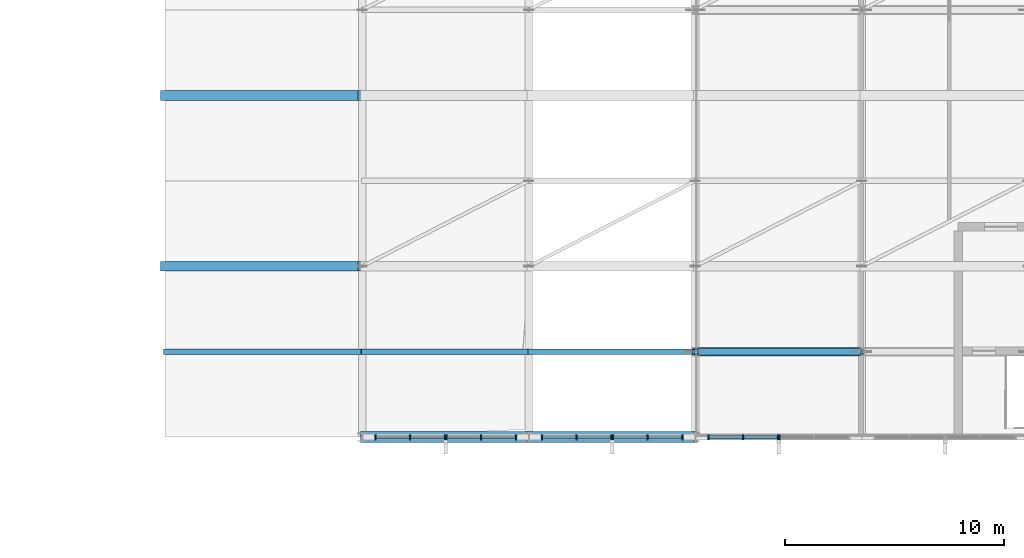
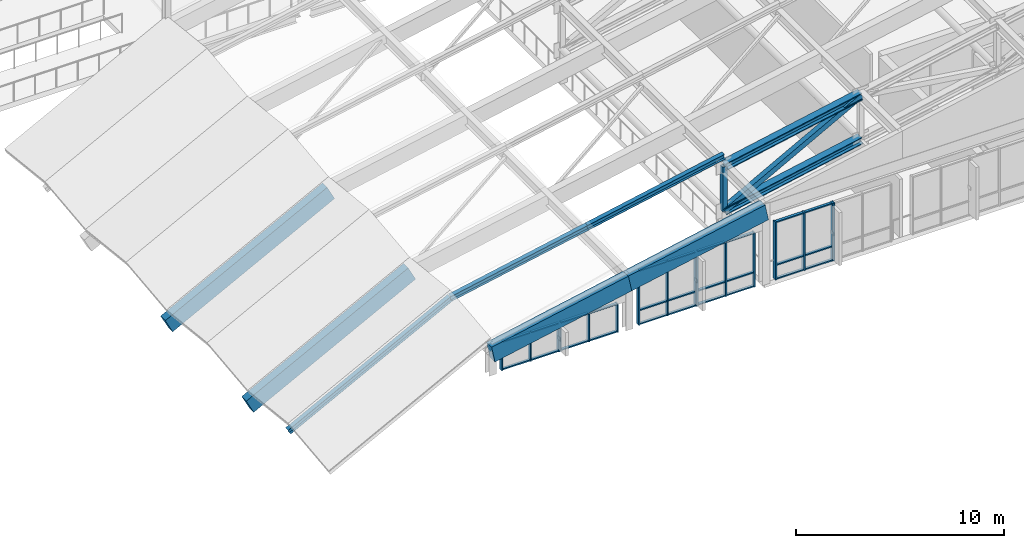
# One storey, part 15 of 73: 49 members, 4 beams, 6 elements without a shape of their own.
"""IFC4 building model written with IfcOpenShell, lengths in metres."""

from ifc_helpers import new_model, si_unit, direction, frame, origin, origin_2d, place, context, subcontext, project, spatial, rectangle, hollow_rectangle, i_section, extrude, material, material_profile, profile_set, type_object, element, aggregate, save


model = new_model("IFC4")

# Units and contexts
model_context = context("Model", 3, precision=1e-05, world=origin(), true_north=direction((0.0, 1.0)))
body_context = subcontext(model_context, "Body", "Model", "MODEL_VIEW")
ifc_project = project(units=[si_unit("LENGTHUNIT", "METRE"), si_unit("AREAUNIT", "SQUARE_METRE"), si_unit("VOLUMEUNIT", "CUBIC_METRE"), si_unit("PLANEANGLEUNIT", "RADIAN"), si_unit("MASSUNIT", "GRAM", prefix="KILO")], contexts=[model_context])

# Site, building, storey
site_placement = place(None, origin())
site = spatial("IfcSite", under=ifc_project, at=site_placement, CompositionType="ELEMENT")
building_placement = place(site_placement, origin())
building = spatial("IfcBuilding", under=site, at=building_placement, Name="Vervanel Yard Central Library", CompositionType="ELEMENT")
storey_placement = place(building_placement, frame((0.0, 0.0, 12.780029296875)))
storey = spatial("IfcBuildingStorey", under=building, at=storey_placement, Name="L03", CompositionType="ELEMENT", Elevation=12.780029296875)

# Beams
ifc_material_1 = material(Name="Concrete C45/55", Category="concrete")
ifc_material_profile_1 = material_profile(ifc_material_1, rectangle(XDim=0.5, YDim=0.949951171875, at=origin_2d()), Name="RC 500x950", Category="concrete")
ifc_profile_set_1 = profile_set([ifc_material_profile_1], Name="Concrete C45/55")
beam_type_1 = type_object("IfcBeamType", Name="Folded Shell Concrete Edge Rib 500x950", PredefinedType="BEAM", material=ifc_profile_set_1)
beam_1_placement = place(storey_placement, frame((108.0, 43.199951171875, 1.239990234375), z_axis=(0.980653304953, 0.0, 0.195752638515), x_axis=(0.0, 1.0, 0.0)))
element("IfcBeam", 1, at=beam_1_placement, inside=storey, type_object=beam_type_1, Name="Folded Shell Edge Rib Bay 3 Y=43.2", PredefinedType="BEAM", context=body_context, shape_type="SweptSolid", body=[
    extrude(rectangle(XDim=0.5, YDim=0.949951171875, at=origin_2d()), origin(), (0.0, 0.0, 1.0), 7.75),
])
beam_2_placement = place(storey_placement, frame((115.60009765625, 43.199951171875, 2.757080078125), z_axis=(0.980652097773, 0.0, 0.19575868597), x_axis=(0.0, 1.0, 0.0)))
element("IfcBeam", 2, at=beam_2_placement, inside=storey, type_object=beam_type_1, Name="Folded Shell Edge Rib Bay 4 Y=43.2", PredefinedType="BEAM", context=body_context, shape_type="SweptSolid", body=[
    extrude(rectangle(XDim=0.5, YDim=0.949951171875, at=origin_2d()), origin(), (0.0, 0.0, 1.0), 7.749755859375),
])
ifc_material_profile_2 = material_profile(ifc_material_1, rectangle(XDim=0.449951171875, YDim=0.89990234375, at=origin_2d()), Name="RC 450x900", Category="concrete")
ifc_profile_set_2 = profile_set([ifc_material_profile_2], Name="Concrete C45/55")
beam_type_2 = type_object("IfcBeamType", Name="Folded Shell Concrete Valley Rib 450x900", PredefinedType="BEAM", material=ifc_profile_set_2)
for number, where, z_axis, x_axis, name in (
    (3, (99.0, 51.0, -3.4150390625), (0.887416545796, 0.0, 0.460968409165), (0.0, 1.0, 0.0), "Folded Shell Valley Rib Bay 2 Y=51.0"),
    (4, (99.0, 58.800048828125, -3.4150390625), (0.887416545796, 0.0, 0.460968409165), (0.0, 1.0, 0.0), "Folded Shell Valley Rib Bay 2 Y=58.8"),
):
    element("IfcBeam", number, at=place(storey_placement, frame(where, z_axis=z_axis, x_axis=x_axis)), inside=storey, type_object=beam_type_2, Name=name, PredefinedType="BEAM", context=body_context, shape_type="SweptSolid", body=[
        extrude(rectangle(XDim=0.449951171875, YDim=0.89990234375, at=origin_2d()), origin(), (0.0, 0.0, 1.0), 10.141845703125),
    ])

# Members
ifc_material_2 = material(Name="Steel ASTM A992 Grade 50", Category="steel")
ifc_material_profile_3 = material_profile(ifc_material_2, i_section(OverallWidth=0.4013671875, OverallDepth=0.398681640625, WebThickness=0.02490234375, FlangeThickness=0.03955078125, at=origin_2d()), Name="W14X211", Category="steel")
ifc_profile_set_3 = profile_set([ifc_material_profile_3], Name="Steel ASTM A992 Grade 50")
member_type_1 = type_object("IfcMemberType", Name="Prow Cantilever Truss Bottom Chord W14X211", PredefinedType="CHORD", material=ifc_profile_set_3)
member_1_placement = place(storey_placement, frame((123.199951171875, 47.10009765625, 1.9140625), z_axis=(0.980653304953, 0.0, 0.195752638515), x_axis=(0.0, 1.0, 0.0)))
element("IfcMember", 5, at=member_1_placement, inside=storey, type_object=member_type_1, Name="Prow Cantilever Truss S Bottom Chord Panel 1", PredefinedType="CHORD", context=body_context, shape_type="SweptSolid", body=[
    extrude(i_section(OverallWidth=0.4013671875, OverallDepth=0.398681640625, WebThickness=0.02490234375, FlangeThickness=0.03955078125, at=origin_2d()), origin(), (0.0, 0.0, 1.0), 7.75),
])
ifc_material_profile_4 = material_profile(ifc_material_2, i_section(OverallWidth=0.406494140625, OverallDepth=0.41650390625, WebThickness=0.030029296875, FlangeThickness=0.048095703125, at=origin_2d()), Name="W14X257", Category="steel")
ifc_profile_set_4 = profile_set([ifc_material_profile_4], Name="Steel ASTM A992 Grade 50")
member_type_2 = type_object("IfcMemberType", Name="Prow Cantilever Truss Top Chord W14X257", PredefinedType="CHORD", material=ifc_profile_set_4)
member_2_placement = place(storey_placement, frame((123.199951171875, 47.10009765625, 4.51416015625), z_axis=(0.980653304953, 0.0, 0.195752638515), x_axis=(0.0, 1.0, 0.0)))
element("IfcMember", 6, at=member_2_placement, inside=storey, type_object=member_type_2, Name="Prow Cantilever Truss S Top Chord Panel 1", PredefinedType="CHORD", context=body_context, shape_type="SweptSolid", body=[
    extrude(i_section(OverallWidth=0.406494140625, OverallDepth=0.41650390625, WebThickness=0.030029296875, FlangeThickness=0.048095703125, at=origin_2d()), origin(), (0.0, 0.0, 1.0), 7.75),
])
ifc_material_3 = material(Name="Steel ASTM A500 Grade C", Category="steel")
ifc_material_profile_5 = material_profile(ifc_material_3, hollow_rectangle(XDim=0.3046875, YDim=0.3046875, WallThickness=0.0146484375, at=origin_2d()), Name="HSS12X12X5/8", Category="steel")
ifc_profile_set_5 = profile_set([ifc_material_profile_5], Name="Steel ASTM A500 Grade C")
member_type_3 = type_object("IfcMemberType", Name="Prow Truss Web Diagonal HSS12X12X5/8", PredefinedType="BRACE", material=ifc_profile_set_5)
member_3_placement = place(storey_placement, frame((123.199951171875, 47.10009765625, 1.9140625), z_axis=(0.879269293652, 0.0, 0.476325003795), x_axis=(0.0, 1.0, 0.0)))
element("IfcMember", 7, at=member_3_placement, inside=storey, type_object=member_type_3, Name="Prow Cantilever Truss S Web Diagonal 1", PredefinedType="BRACE", context=body_context, shape_type="SweptSolid", body=[
    extrude(hollow_rectangle(XDim=0.3046875, YDim=0.3046875, WallThickness=0.0146484375, at=origin_2d()), origin(), (0.0, 0.0, 1.0), 8.6435546875),
])
ifc_material_profile_6 = material_profile(ifc_material_3, hollow_rectangle(XDim=0.25390625, YDim=0.25390625, WallThickness=0.01171875, at=origin_2d()), Name="HSS10X10X1/2", Category="steel")
ifc_profile_set_6 = profile_set([ifc_material_profile_6], Name="Steel ASTM A500 Grade C")
member_type_4 = type_object("IfcMemberType", Name="Prow Truss Web Vertical HSS10X10X1/2", PredefinedType="BRACE", material=ifc_profile_set_6)
member_4_placement = place(storey_placement, frame((123.199951171875, 47.10009765625, 1.9140625), z_axis=(0.0, 0.0, 1.0), x_axis=(1.0, 0.0, 0.0)))
element("IfcMember", 8, at=member_4_placement, inside=storey, type_object=member_type_4, Name="Prow Cantilever Truss S Vertical 1", PredefinedType="BRACE", context=body_context, shape_type="SweptSolid", body=[
    extrude(hollow_rectangle(XDim=0.25390625, YDim=0.25390625, WallThickness=0.01171875, at=origin_2d()), origin(), (0.0, 0.0, 1.0), 2.60009765625),
])

# Curtain wall, members
ifc_material_4 = material(Name="Thermally broken anodized aluminium 6063-T6", Category="aluminium")
curtain_wall_type = type_object("IfcCurtainWallType", Name="Prow Cantilever Glazed Curtain Wall", PredefinedType="NOTDEFINED", material=ifc_material_4)
curtain_wall_1_placement = place(storey_placement, origin())
curtain_wall_1 = element("IfcCurtainWall", 9, at=curtain_wall_1_placement, inside=storey, type_object=curtain_wall_type, Name="L03 Prow Cantilever Glazed Curtain Wall CWR-L03-076", PredefinedType="NOTDEFINED")
ifc_material_profile_7 = material_profile(ifc_material_4, rectangle(XDim=0.070068359375, YDim=0.219970703125, at=origin_2d()), Name="ALU 70x220", Category="aluminium")
ifc_profile_set_7 = profile_set([ifc_material_profile_7], Name="Thermally broken anodized aluminium 6063-T6")
member_type_5 = type_object("IfcMemberType", Name="Reading Hall Deep Mullion 70x220", PredefinedType="MULLION", material=ifc_profile_set_7)
member_5_placement = place(storey_placement, frame((108.594970703125, 43.199951171875, 0.0), z_axis=(0.0, 0.0, 1.0), x_axis=(1.0, 0.0, 0.0)))
member_5 = element("IfcMember", 10, at=member_5_placement, type_object=member_type_5, Name="CWR-L03-076 Mullion 1", PredefinedType="MULLION", context=body_context, shape_type="SweptSolid", body=[
    extrude(rectangle(XDim=0.070068359375, YDim=0.219970703125, at=origin_2d()), origin(), (0.0, 0.0, 1.0), 1.679931640625),
])
member_6_placement = place(storey_placement, frame((110.179931640625, 43.199951171875, 0.0), z_axis=(0.0, 0.0, 1.0), x_axis=(1.0, 0.0, 0.0)))
member_6 = element("IfcMember", 11, at=member_6_placement, type_object=member_type_5, Name="CWR-L03-076 Mullion 2", PredefinedType="MULLION", context=body_context, shape_type="SweptSolid", body=[
    extrude(rectangle(XDim=0.070068359375, YDim=0.219970703125, at=origin_2d()), origin(), (0.0, 0.0, 1.0), 1.679931640625),
])
member_7_placement = place(storey_placement, frame((111.764892578125, 43.199951171875, 0.0), z_axis=(0.0, 0.0, 1.0), x_axis=(1.0, 0.0, 0.0)))
member_7 = element("IfcMember", 12, at=member_7_placement, type_object=member_type_5, Name="CWR-L03-076 Mullion 3", PredefinedType="MULLION", context=body_context, shape_type="SweptSolid", body=[
    extrude(rectangle(XDim=0.070068359375, YDim=0.219970703125, at=origin_2d()), origin(), (0.0, 0.0, 1.0), 1.679931640625),
])

curtain_wall_2_placement = place(storey_placement, origin())
curtain_wall_2 = element("IfcCurtainWall", 13, at=curtain_wall_2_placement, inside=storey, type_object=curtain_wall_type, Name="L03 Prow Cantilever Glazed Curtain Wall CWR-L03-077", PredefinedType="NOTDEFINED")
member_8_placement = place(storey_placement, frame((111.8349609375, 43.199951171875, 0.0), z_axis=(0.0, 0.0, 1.0), x_axis=(1.0, 0.0, 0.0)))
member_8 = element("IfcMember", 14, at=member_8_placement, type_object=member_type_5, Name="CWR-L03-077 Mullion 1", PredefinedType="MULLION", context=body_context, shape_type="SweptSolid", body=[
    extrude(rectangle(XDim=0.070068359375, YDim=0.219970703125, at=origin_2d()), origin(), (0.0, 0.0, 1.0), 1.679931640625),
])
member_9_placement = place(storey_placement, frame((113.419921875, 43.199951171875, 0.0), z_axis=(0.0, 0.0, 1.0), x_axis=(1.0, 0.0, 0.0)))
member_9 = element("IfcMember", 15, at=member_9_placement, type_object=member_type_5, Name="CWR-L03-077 Mullion 2", PredefinedType="MULLION", context=body_context, shape_type="SweptSolid", body=[
    extrude(rectangle(XDim=0.070068359375, YDim=0.219970703125, at=origin_2d()), origin(), (0.0, 0.0, 1.0), 1.679931640625),
])
member_10_placement = place(storey_placement, frame((115.0048828125, 43.199951171875, 0.0), z_axis=(0.0, 0.0, 1.0), x_axis=(1.0, 0.0, 0.0)))
member_10 = element("IfcMember", 16, at=member_10_placement, type_object=member_type_5, Name="CWR-L03-077 Mullion 3", PredefinedType="MULLION", context=body_context, shape_type="SweptSolid", body=[
    extrude(rectangle(XDim=0.070068359375, YDim=0.219970703125, at=origin_2d()), origin(), (0.0, 0.0, 1.0), 1.679931640625),
])

curtain_wall_3_placement = place(storey_placement, origin())
curtain_wall_3 = element("IfcCurtainWall", 17, at=curtain_wall_3_placement, inside=storey, type_object=curtain_wall_type, Name="L03 Prow Cantilever Glazed Curtain Wall CWR-L03-078", PredefinedType="NOTDEFINED")
member_11_placement = place(storey_placement, frame((116.195068359375, 43.199951171875, 0.0), z_axis=(0.0, 0.0, 1.0), x_axis=(1.0, 0.0, 0.0)))
member_11 = element("IfcMember", 18, at=member_11_placement, type_object=member_type_5, Name="CWR-L03-078 Mullion 1", PredefinedType="MULLION", context=body_context, shape_type="SweptSolid", body=[
    extrude(rectangle(XDim=0.070068359375, YDim=0.219970703125, at=origin_2d()), origin(), (0.0, 0.0, 1.0), 3.197021484375),
])
member_12_placement = place(storey_placement, frame((117.780029296875, 43.199951171875, 0.0), z_axis=(0.0, 0.0, 1.0), x_axis=(1.0, 0.0, 0.0)))
member_12 = element("IfcMember", 19, at=member_12_placement, type_object=member_type_5, Name="CWR-L03-078 Mullion 2", PredefinedType="MULLION", context=body_context, shape_type="SweptSolid", body=[
    extrude(rectangle(XDim=0.070068359375, YDim=0.219970703125, at=origin_2d()), origin(), (0.0, 0.0, 1.0), 3.197021484375),
])
member_13_placement = place(storey_placement, frame((119.364990234375, 43.199951171875, 0.0), z_axis=(0.0, 0.0, 1.0), x_axis=(1.0, 0.0, 0.0)))
member_13 = element("IfcMember", 20, at=member_13_placement, type_object=member_type_5, Name="CWR-L03-078 Mullion 3", PredefinedType="MULLION", context=body_context, shape_type="SweptSolid", body=[
    extrude(rectangle(XDim=0.070068359375, YDim=0.219970703125, at=origin_2d()), origin(), (0.0, 0.0, 1.0), 3.197021484375),
])

curtain_wall_4_placement = place(storey_placement, origin())
curtain_wall_4 = element("IfcCurtainWall", 21, at=curtain_wall_4_placement, inside=storey, type_object=curtain_wall_type, Name="L03 Prow Cantilever Glazed Curtain Wall CWR-L03-079", PredefinedType="NOTDEFINED")
member_14_placement = place(storey_placement, frame((119.43505859375, 43.199951171875, 0.0), z_axis=(0.0, 0.0, 1.0), x_axis=(1.0, 0.0, 0.0)))
member_14 = element("IfcMember", 22, at=member_14_placement, type_object=member_type_5, Name="CWR-L03-079 Mullion 1", PredefinedType="MULLION", context=body_context, shape_type="SweptSolid", body=[
    extrude(rectangle(XDim=0.070068359375, YDim=0.219970703125, at=origin_2d()), origin(), (0.0, 0.0, 1.0), 3.197021484375),
])
member_15_placement = place(storey_placement, frame((121.02001953125, 43.199951171875, 0.0), z_axis=(0.0, 0.0, 1.0), x_axis=(1.0, 0.0, 0.0)))
member_15 = element("IfcMember", 23, at=member_15_placement, type_object=member_type_5, Name="CWR-L03-079 Mullion 2", PredefinedType="MULLION", context=body_context, shape_type="SweptSolid", body=[
    extrude(rectangle(XDim=0.070068359375, YDim=0.219970703125, at=origin_2d()), origin(), (0.0, 0.0, 1.0), 3.197021484375),
])
member_16_placement = place(storey_placement, frame((122.60498046875, 43.199951171875, 0.0), z_axis=(0.0, 0.0, 1.0), x_axis=(1.0, 0.0, 0.0)))
member_16 = element("IfcMember", 24, at=member_16_placement, type_object=member_type_5, Name="CWR-L03-079 Mullion 3", PredefinedType="MULLION", context=body_context, shape_type="SweptSolid", body=[
    extrude(rectangle(XDim=0.070068359375, YDim=0.219970703125, at=origin_2d()), origin(), (0.0, 0.0, 1.0), 3.197021484375),
])

curtain_wall_5_placement = place(storey_placement, origin())
curtain_wall_5 = element("IfcCurtainWall", 25, at=curtain_wall_5_placement, inside=storey, type_object=curtain_wall_type, Name="L03 Prow Cantilever Glazed Curtain Wall CWR-L03-080", PredefinedType="NOTDEFINED")
member_17_placement = place(storey_placement, frame((123.794921875, 43.199951171875, 0.0), z_axis=(0.0, 0.0, 1.0), x_axis=(1.0, 0.0, 0.0)))
member_17 = element("IfcMember", 26, at=member_17_placement, type_object=member_type_5, Name="CWR-L03-080 Mullion 1", PredefinedType="MULLION", context=body_context, shape_type="SweptSolid", body=[
    extrude(rectangle(XDim=0.070068359375, YDim=0.219970703125, at=origin_2d()), origin(), (0.0, 0.0, 1.0), 3.39990234375),
])
member_18_placement = place(storey_placement, frame((125.3798828125, 43.199951171875, 0.0), z_axis=(0.0, 0.0, 1.0), x_axis=(1.0, 0.0, 0.0)))
member_18 = element("IfcMember", 27, at=member_18_placement, type_object=member_type_5, Name="CWR-L03-080 Mullion 2", PredefinedType="MULLION", context=body_context, shape_type="SweptSolid", body=[
    extrude(rectangle(XDim=0.070068359375, YDim=0.219970703125, at=origin_2d()), origin(), (0.0, 0.0, 1.0), 3.39990234375),
])
member_19_placement = place(storey_placement, frame((126.965087890625, 43.199951171875, 0.0), z_axis=(0.0, 0.0, 1.0), x_axis=(1.0, 0.0, 0.0)))
member_19 = element("IfcMember", 28, at=member_19_placement, type_object=member_type_5, Name="CWR-L03-080 Mullion 3", PredefinedType="MULLION", context=body_context, shape_type="SweptSolid", body=[
    extrude(rectangle(XDim=0.070068359375, YDim=0.219970703125, at=origin_2d()), origin(), (0.0, 0.0, 1.0), 3.39990234375),
])

# Curtain wall, member
curtain_wall_6_placement = place(storey_placement, origin())
curtain_wall_6 = element("IfcCurtainWall", 29, at=curtain_wall_6_placement, inside=storey, type_object=curtain_wall_type, Name="L03 Prow Cantilever Glazed Curtain Wall CWR-L03-081", PredefinedType="NOTDEFINED")
member_20_placement = place(storey_placement, frame((127.034912109375, 43.199951171875, 0.0), z_axis=(0.0, 0.0, 1.0), x_axis=(1.0, 0.0, 0.0)))
member_20 = element("IfcMember", 30, at=member_20_placement, type_object=member_type_5, Name="CWR-L03-081 Mullion 1", PredefinedType="MULLION", context=body_context, shape_type="SweptSolid", body=[
    extrude(rectangle(XDim=0.070068359375, YDim=0.219970703125, at=origin_2d()), origin(), (0.0, 0.0, 1.0), 3.39990234375),
])
aggregate(curtain_wall_6, [member_20])

# Member
ifc_material_profile_8 = material_profile(ifc_material_4, rectangle(XDim=0.070068359375, YDim=0.14990234375, at=origin_2d()), Name="ALU 70x150", Category="aluminium")
ifc_profile_set_8 = profile_set([ifc_material_profile_8], Name="Thermally broken anodized aluminium 6063-T6")
member_type_6 = type_object("IfcMemberType", Name="Reading Hall Deep Transom 70x150", PredefinedType="NOTDEFINED", material=ifc_profile_set_8)
member_21_placement = place(storey_placement, frame((108.6298828125, 43.199951171875, 0.034912109375), z_axis=(1.0, 0.0, 0.0), x_axis=(0.0, 0.0, 1.0)))
member_21 = element("IfcMember", 31, at=member_21_placement, type_object=member_type_6, Name="CWR-L03-076 Transom B1-T1", ObjectType="TRANSOM", PredefinedType="USERDEFINED", context=body_context, shape_type="SweptSolid", body=[
    extrude(rectangle(XDim=0.070068359375, YDim=0.14990234375, at=origin_2d()), origin(), (0.0, 0.0, 1.0), 1.51513671875),
])

member_22_placement = place(storey_placement, frame((108.6298828125, 43.199951171875, 1.64501953125), z_axis=(1.0, 0.0, 0.0), x_axis=(0.0, 0.0, 1.0)))
member_22 = element("IfcMember", 32, at=member_22_placement, type_object=member_type_6, Name="CWR-L03-076 Transom B1-T2", ObjectType="TRANSOM", PredefinedType="USERDEFINED", context=body_context, shape_type="SweptSolid", body=[
    extrude(rectangle(XDim=0.070068359375, YDim=0.14990234375, at=origin_2d()), origin(), (0.0, 0.0, 1.0), 1.51513671875),
])

member_23_placement = place(storey_placement, frame((110.215087890625, 43.199951171875, 0.034912109375), z_axis=(1.0, 0.0, 0.0), x_axis=(0.0, 0.0, 1.0)))
member_23 = element("IfcMember", 33, at=member_23_placement, type_object=member_type_6, Name="CWR-L03-076 Transom B2-T1", ObjectType="TRANSOM", PredefinedType="USERDEFINED", context=body_context, shape_type="SweptSolid", body=[
    extrude(rectangle(XDim=0.070068359375, YDim=0.14990234375, at=origin_2d()), origin(), (0.0, 0.0, 1.0), 1.514892578125),
])

member_24_placement = place(storey_placement, frame((110.215087890625, 43.199951171875, 1.64501953125), z_axis=(1.0, 0.0, 0.0), x_axis=(0.0, 0.0, 1.0)))
member_24 = element("IfcMember", 34, at=member_24_placement, type_object=member_type_6, Name="CWR-L03-076 Transom B2-T2", ObjectType="TRANSOM", PredefinedType="USERDEFINED", context=body_context, shape_type="SweptSolid", body=[
    extrude(rectangle(XDim=0.070068359375, YDim=0.14990234375, at=origin_2d()), origin(), (0.0, 0.0, 1.0), 1.514892578125),
])

aggregate(curtain_wall_1, [member_5, member_6, member_7, member_21, member_22, member_23, member_24])

member_25_placement = place(storey_placement, frame((111.8701171875, 43.199951171875, 0.034912109375), z_axis=(1.0, 0.0, 0.0), x_axis=(0.0, 0.0, 1.0)))
member_25 = element("IfcMember", 35, at=member_25_placement, type_object=member_type_6, Name="CWR-L03-077 Transom B1-T1", ObjectType="TRANSOM", PredefinedType="USERDEFINED", context=body_context, shape_type="SweptSolid", body=[
    extrude(rectangle(XDim=0.070068359375, YDim=0.14990234375, at=origin_2d()), origin(), (0.0, 0.0, 1.0), 1.514892578125),
])

member_26_placement = place(storey_placement, frame((111.8701171875, 43.199951171875, 1.64501953125), z_axis=(1.0, 0.0, 0.0), x_axis=(0.0, 0.0, 1.0)))
member_26 = element("IfcMember", 36, at=member_26_placement, type_object=member_type_6, Name="CWR-L03-077 Transom B1-T2", ObjectType="TRANSOM", PredefinedType="USERDEFINED", context=body_context, shape_type="SweptSolid", body=[
    extrude(rectangle(XDim=0.070068359375, YDim=0.14990234375, at=origin_2d()), origin(), (0.0, 0.0, 1.0), 1.514892578125),
])

member_27_placement = place(storey_placement, frame((113.455078125, 43.199951171875, 0.034912109375), z_axis=(1.0, 0.0, 0.0), x_axis=(0.0, 0.0, 1.0)))
member_27 = element("IfcMember", 37, at=member_27_placement, type_object=member_type_6, Name="CWR-L03-077 Transom B2-T1", ObjectType="TRANSOM", PredefinedType="USERDEFINED", context=body_context, shape_type="SweptSolid", body=[
    extrude(rectangle(XDim=0.070068359375, YDim=0.14990234375, at=origin_2d()), origin(), (0.0, 0.0, 1.0), 1.514892578125),
])

member_28_placement = place(storey_placement, frame((113.455078125, 43.199951171875, 1.64501953125), z_axis=(1.0, 0.0, 0.0), x_axis=(0.0, 0.0, 1.0)))
member_28 = element("IfcMember", 38, at=member_28_placement, type_object=member_type_6, Name="CWR-L03-077 Transom B2-T2", ObjectType="TRANSOM", PredefinedType="USERDEFINED", context=body_context, shape_type="SweptSolid", body=[
    extrude(rectangle(XDim=0.070068359375, YDim=0.14990234375, at=origin_2d()), origin(), (0.0, 0.0, 1.0), 1.514892578125),
])

aggregate(curtain_wall_2, [member_8, member_9, member_10, member_25, member_26, member_27, member_28])

member_29_placement = place(storey_placement, frame((116.22998046875, 43.199951171875, 0.034912109375), z_axis=(1.0, 0.0, 0.0), x_axis=(0.0, 0.0, 1.0)))
member_29 = element("IfcMember", 39, at=member_29_placement, type_object=member_type_6, Name="CWR-L03-078 Transom B1-T1", ObjectType="TRANSOM", PredefinedType="USERDEFINED", context=body_context, shape_type="SweptSolid", body=[
    extrude(rectangle(XDim=0.070068359375, YDim=0.14990234375, at=origin_2d()), origin(), (0.0, 0.0, 1.0), 1.51513671875),
])

member_30_placement = place(storey_placement, frame((116.22998046875, 43.199951171875, 0.849853515625), z_axis=(1.0, 0.0, 0.0), x_axis=(0.0, 0.0, 1.0)))
member_30 = element("IfcMember", 40, at=member_30_placement, type_object=member_type_6, Name="CWR-L03-078 Transom B1-T2", ObjectType="TRANSOM", PredefinedType="USERDEFINED", context=body_context, shape_type="SweptSolid", body=[
    extrude(rectangle(XDim=0.070068359375, YDim=0.14990234375, at=origin_2d()), origin(), (0.0, 0.0, 1.0), 1.51513671875),
])

member_31_placement = place(storey_placement, frame((116.22998046875, 43.199951171875, 3.162109375), z_axis=(1.0, 0.0, 0.0), x_axis=(0.0, 0.0, 1.0)))
member_31 = element("IfcMember", 41, at=member_31_placement, type_object=member_type_6, Name="CWR-L03-078 Transom B1-T3", ObjectType="TRANSOM", PredefinedType="USERDEFINED", context=body_context, shape_type="SweptSolid", body=[
    extrude(rectangle(XDim=0.070068359375, YDim=0.14990234375, at=origin_2d()), origin(), (0.0, 0.0, 1.0), 1.51513671875),
])

member_32_placement = place(storey_placement, frame((117.81494140625, 43.199951171875, 0.034912109375), z_axis=(1.0, 0.0, 0.0), x_axis=(0.0, 0.0, 1.0)))
member_32 = element("IfcMember", 42, at=member_32_placement, type_object=member_type_6, Name="CWR-L03-078 Transom B2-T1", ObjectType="TRANSOM", PredefinedType="USERDEFINED", context=body_context, shape_type="SweptSolid", body=[
    extrude(rectangle(XDim=0.070068359375, YDim=0.14990234375, at=origin_2d()), origin(), (0.0, 0.0, 1.0), 1.51513671875),
])

member_33_placement = place(storey_placement, frame((117.81494140625, 43.199951171875, 0.849853515625), z_axis=(1.0, 0.0, 0.0), x_axis=(0.0, 0.0, 1.0)))
member_33 = element("IfcMember", 43, at=member_33_placement, type_object=member_type_6, Name="CWR-L03-078 Transom B2-T2", ObjectType="TRANSOM", PredefinedType="USERDEFINED", context=body_context, shape_type="SweptSolid", body=[
    extrude(rectangle(XDim=0.070068359375, YDim=0.14990234375, at=origin_2d()), origin(), (0.0, 0.0, 1.0), 1.51513671875),
])

member_34_placement = place(storey_placement, frame((117.81494140625, 43.199951171875, 3.162109375), z_axis=(1.0, 0.0, 0.0), x_axis=(0.0, 0.0, 1.0)))
member_34 = element("IfcMember", 44, at=member_34_placement, type_object=member_type_6, Name="CWR-L03-078 Transom B2-T3", ObjectType="TRANSOM", PredefinedType="USERDEFINED", context=body_context, shape_type="SweptSolid", body=[
    extrude(rectangle(XDim=0.070068359375, YDim=0.14990234375, at=origin_2d()), origin(), (0.0, 0.0, 1.0), 1.51513671875),
])

aggregate(curtain_wall_3, [member_11, member_12, member_13, member_29, member_30, member_31, member_32, member_33, member_34])

member_35_placement = place(storey_placement, frame((119.469970703125, 43.199951171875, 0.034912109375), z_axis=(1.0, 0.0, 0.0), x_axis=(0.0, 0.0, 1.0)))
member_35 = element("IfcMember", 45, at=member_35_placement, type_object=member_type_6, Name="CWR-L03-079 Transom B1-T1", ObjectType="TRANSOM", PredefinedType="USERDEFINED", context=body_context, shape_type="SweptSolid", body=[
    extrude(rectangle(XDim=0.070068359375, YDim=0.14990234375, at=origin_2d()), origin(), (0.0, 0.0, 1.0), 1.51513671875),
])

member_36_placement = place(storey_placement, frame((119.469970703125, 43.199951171875, 0.849853515625), z_axis=(1.0, 0.0, 0.0), x_axis=(0.0, 0.0, 1.0)))
member_36 = element("IfcMember", 46, at=member_36_placement, type_object=member_type_6, Name="CWR-L03-079 Transom B1-T2", ObjectType="TRANSOM", PredefinedType="USERDEFINED", context=body_context, shape_type="SweptSolid", body=[
    extrude(rectangle(XDim=0.070068359375, YDim=0.14990234375, at=origin_2d()), origin(), (0.0, 0.0, 1.0), 1.51513671875),
])

member_37_placement = place(storey_placement, frame((119.469970703125, 43.199951171875, 3.162109375), z_axis=(1.0, 0.0, 0.0), x_axis=(0.0, 0.0, 1.0)))
member_37 = element("IfcMember", 47, at=member_37_placement, type_object=member_type_6, Name="CWR-L03-079 Transom B1-T3", ObjectType="TRANSOM", PredefinedType="USERDEFINED", context=body_context, shape_type="SweptSolid", body=[
    extrude(rectangle(XDim=0.070068359375, YDim=0.14990234375, at=origin_2d()), origin(), (0.0, 0.0, 1.0), 1.51513671875),
])

member_38_placement = place(storey_placement, frame((121.054931640625, 43.199951171875, 0.034912109375), z_axis=(1.0, 0.0, 0.0), x_axis=(0.0, 0.0, 1.0)))
member_38 = element("IfcMember", 48, at=member_38_placement, type_object=member_type_6, Name="CWR-L03-079 Transom B2-T1", ObjectType="TRANSOM", PredefinedType="USERDEFINED", context=body_context, shape_type="SweptSolid", body=[
    extrude(rectangle(XDim=0.070068359375, YDim=0.14990234375, at=origin_2d()), origin(), (0.0, 0.0, 1.0), 1.51513671875),
])

member_39_placement = place(storey_placement, frame((121.054931640625, 43.199951171875, 0.849853515625), z_axis=(1.0, 0.0, 0.0), x_axis=(0.0, 0.0, 1.0)))
member_39 = element("IfcMember", 49, at=member_39_placement, type_object=member_type_6, Name="CWR-L03-079 Transom B2-T2", ObjectType="TRANSOM", PredefinedType="USERDEFINED", context=body_context, shape_type="SweptSolid", body=[
    extrude(rectangle(XDim=0.070068359375, YDim=0.14990234375, at=origin_2d()), origin(), (0.0, 0.0, 1.0), 1.51513671875),
])

member_40_placement = place(storey_placement, frame((121.054931640625, 43.199951171875, 3.162109375), z_axis=(1.0, 0.0, 0.0), x_axis=(0.0, 0.0, 1.0)))
member_40 = element("IfcMember", 50, at=member_40_placement, type_object=member_type_6, Name="CWR-L03-079 Transom B2-T3", ObjectType="TRANSOM", PredefinedType="USERDEFINED", context=body_context, shape_type="SweptSolid", body=[
    extrude(rectangle(XDim=0.070068359375, YDim=0.14990234375, at=origin_2d()), origin(), (0.0, 0.0, 1.0), 1.51513671875),
])

aggregate(curtain_wall_4, [member_14, member_15, member_16, member_35, member_36, member_37, member_38, member_39, member_40])

member_41_placement = place(storey_placement, frame((123.830078125, 43.199951171875, 0.034912109375), z_axis=(1.0, 0.0, 0.0), x_axis=(0.0, 0.0, 1.0)))
member_41 = element("IfcMember", 51, at=member_41_placement, type_object=member_type_6, Name="CWR-L03-080 Transom B1-T1", ObjectType="TRANSOM", PredefinedType="USERDEFINED", context=body_context, shape_type="SweptSolid", body=[
    extrude(rectangle(XDim=0.070068359375, YDim=0.14990234375, at=origin_2d()), origin(), (0.0, 0.0, 1.0), 1.514892578125),
])

member_42_placement = place(storey_placement, frame((123.830078125, 43.199951171875, 0.849853515625), z_axis=(1.0, 0.0, 0.0), x_axis=(0.0, 0.0, 1.0)))
member_42 = element("IfcMember", 52, at=member_42_placement, type_object=member_type_6, Name="CWR-L03-080 Transom B1-T2", ObjectType="TRANSOM", PredefinedType="USERDEFINED", context=body_context, shape_type="SweptSolid", body=[
    extrude(rectangle(XDim=0.070068359375, YDim=0.14990234375, at=origin_2d()), origin(), (0.0, 0.0, 1.0), 1.514892578125),
])

member_43_placement = place(storey_placement, frame((123.830078125, 43.199951171875, 3.364990234375), z_axis=(1.0, 0.0, 0.0), x_axis=(0.0, 0.0, 1.0)))
member_43 = element("IfcMember", 53, at=member_43_placement, type_object=member_type_6, Name="CWR-L03-080 Transom B1-T3", ObjectType="TRANSOM", PredefinedType="USERDEFINED", context=body_context, shape_type="SweptSolid", body=[
    extrude(rectangle(XDim=0.070068359375, YDim=0.14990234375, at=origin_2d()), origin(), (0.0, 0.0, 1.0), 1.514892578125),
])

member_44_placement = place(storey_placement, frame((125.4150390625, 43.199951171875, 0.034912109375), z_axis=(1.0, 0.0, 0.0), x_axis=(0.0, 0.0, 1.0)))
member_44 = element("IfcMember", 54, at=member_44_placement, type_object=member_type_6, Name="CWR-L03-080 Transom B2-T1", ObjectType="TRANSOM", PredefinedType="USERDEFINED", context=body_context, shape_type="SweptSolid", body=[
    extrude(rectangle(XDim=0.070068359375, YDim=0.14990234375, at=origin_2d()), origin(), (0.0, 0.0, 1.0), 1.514892578125),
])

member_45_placement = place(storey_placement, frame((125.4150390625, 43.199951171875, 0.849853515625), z_axis=(1.0, 0.0, 0.0), x_axis=(0.0, 0.0, 1.0)))
member_45 = element("IfcMember", 55, at=member_45_placement, type_object=member_type_6, Name="CWR-L03-080 Transom B2-T2", ObjectType="TRANSOM", PredefinedType="USERDEFINED", context=body_context, shape_type="SweptSolid", body=[
    extrude(rectangle(XDim=0.070068359375, YDim=0.14990234375, at=origin_2d()), origin(), (0.0, 0.0, 1.0), 1.514892578125),
])

member_46_placement = place(storey_placement, frame((125.4150390625, 43.199951171875, 3.364990234375), z_axis=(1.0, 0.0, 0.0), x_axis=(0.0, 0.0, 1.0)))
member_46 = element("IfcMember", 56, at=member_46_placement, type_object=member_type_6, Name="CWR-L03-080 Transom B2-T3", ObjectType="TRANSOM", PredefinedType="USERDEFINED", context=body_context, shape_type="SweptSolid", body=[
    extrude(rectangle(XDim=0.070068359375, YDim=0.14990234375, at=origin_2d()), origin(), (0.0, 0.0, 1.0), 1.514892578125),
])

aggregate(curtain_wall_5, [member_17, member_18, member_19, member_41, member_42, member_43, member_44, member_45, member_46])

# Members
ifc_material_profile_9 = material_profile(ifc_material_2, i_section(OverallWidth=0.25390625, OverallDepth=0.307373046875, WebThickness=0.0087890625, FlangeThickness=0.0146484375, at=origin_2d()), Name="W12X53", Category="steel")
ifc_profile_set_9 = profile_set([ifc_material_profile_9], Name="Steel ASTM A992 Grade 50")
member_type_7 = type_object("IfcMemberType", Name="Shell Roof Purlin W12X53", PredefinedType="PURLIN", material=ifc_profile_set_9)
member_47_placement = place(storey_placement, frame((99.0, 47.10009765625, -2.603271484375), z_axis=(0.887416545796, 0.0, 0.460968409165), x_axis=(0.0, 1.0, 0.0)))
element("IfcMember", 57, at=member_47_placement, inside=storey, type_object=member_type_7, Name="Shell Ridge Purlin Bay 2 Y=47.1", PredefinedType="PURLIN", context=body_context, shape_type="SweptSolid", body=[
    extrude(i_section(OverallWidth=0.25390625, OverallDepth=0.307373046875, WebThickness=0.0087890625, FlangeThickness=0.0146484375, at=origin_2d()), origin(), (0.0, 0.0, 1.0), 10.141845703125),
])
member_48_placement = place(storey_placement, frame((108.0, 47.10009765625, 2.07177734375), z_axis=(0.980653304953, 0.0, 0.195752638515), x_axis=(0.0, 1.0, 0.0)))
element("IfcMember", 58, at=member_48_placement, inside=storey, type_object=member_type_7, Name="Shell Ridge Purlin Bay 3 Y=47.1", PredefinedType="PURLIN", context=body_context, shape_type="SweptSolid", body=[
    extrude(i_section(OverallWidth=0.25390625, OverallDepth=0.307373046875, WebThickness=0.0087890625, FlangeThickness=0.0146484375, at=origin_2d()), origin(), (0.0, 0.0, 1.0), 7.75),
])
member_49_placement = place(storey_placement, frame((115.60009765625, 47.10009765625, 3.5888671875), z_axis=(0.980652097773, 0.0, 0.19575868597), x_axis=(0.0, 1.0, 0.0)))
element("IfcMember", 59, at=member_49_placement, inside=storey, type_object=member_type_7, Name="Shell Ridge Purlin Bay 4 Y=47.1", PredefinedType="PURLIN", context=body_context, shape_type="SweptSolid", body=[
    extrude(i_section(OverallWidth=0.25390625, OverallDepth=0.307373046875, WebThickness=0.0087890625, FlangeThickness=0.0146484375, at=origin_2d()), origin(), (0.0, 0.0, 1.0), 7.749755859375),
])

save(model, "model.ifc")
